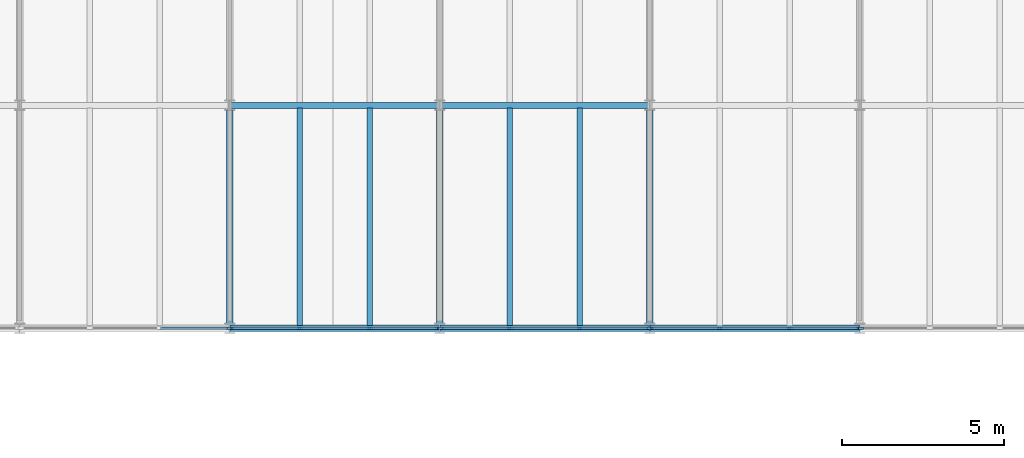
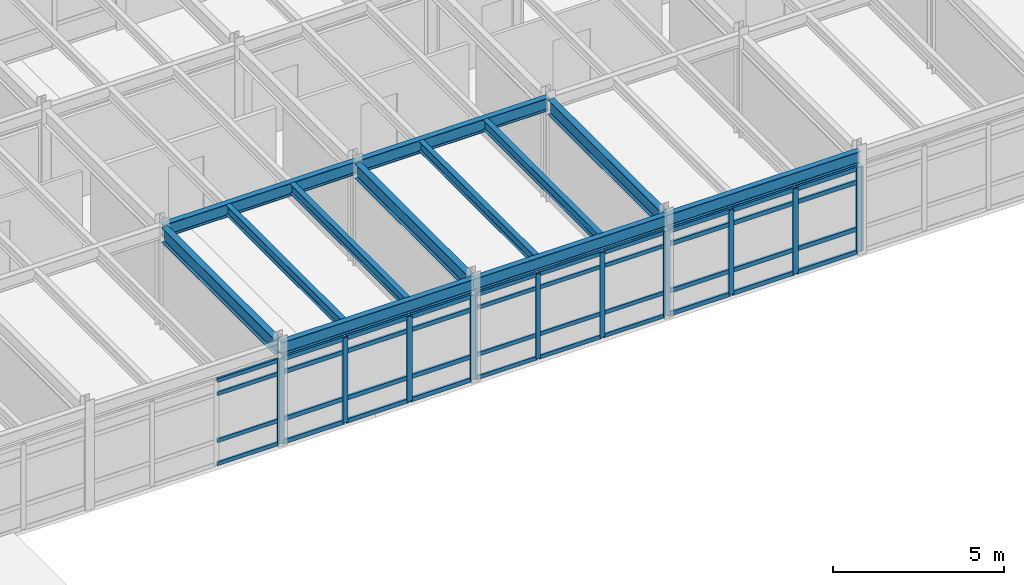
# One storey, part 26 of 49: 54 members, 12 beams, 5 elements without a shape of their own.
"""IFC4 building model written with IfcOpenShell, lengths in metres."""

import ifcopenshell
import ifcopenshell.guid

model = None  # the IFC model being written
_history = None  # IfcOwnerHistory: only IFC2X3 demands one
_inside = {}  # id of a spatial element -> (the spatial element, [elements in it])
_under = {}  # id of a project, library or spatial element -> (it, [spatial elements below it])
_declared = {}  # id of a project -> (the project, [libraries it declares])
_typed = {}  # id of a type object -> (the type object, [elements of that type])
_made_of = {}  # id of a material, layer set ... -> (it, [elements and type objects made of it])


def new_model(schema):
    """Start an empty IFC model of exactly this schema.

    Asked for "IFC4X3", IfcOpenShell would pick the latest addendum, in which some entities
    have other attributes; the version numbers below select the first issue.
    IFC2X3 requires an IfcOwnerHistory on every rooted entity: one is made here for all.
    """
    global model, _history
    if schema == "IFC4X3":
        model = ifcopenshell.file(schema_version=(4, 3, 0, 0))
    else:
        model = ifcopenshell.file(schema=schema)
    _inside.clear()
    _under.clear()
    _declared.clear()
    _typed.clear()
    _made_of.clear()
    _history = None
    if model.schema == "IFC2X3":
        org = make("IfcOrganization", Name="unknown")
        user = make(
            "IfcPersonAndOrganization",
            ThePerson=make("IfcPerson", FamilyName="unknown"),
            TheOrganization=org,
        )
        app = make(
            "IfcApplication",
            ApplicationDeveloper=org,
            Version="unknown",
            ApplicationFullName="unknown",
            ApplicationIdentifier="unknown",
        )
        _history = make(
            "IfcOwnerHistory",
            OwningUser=user,
            OwningApplication=app,
            ChangeAction="ADDED",
            CreationDate=0,
        )
    return model


def make(cls, **values):
    """One entity of the class cls with the attributes given. An attribute that is None is left unset."""
    return model.create_entity(
        cls, **{name: value for name, value in values.items() if value is not None}
    )


def rooted(cls, **values):
    """An entity with a GlobalId (a new one), such as an element, a storey or a relation."""
    return make(cls, GlobalId=ifcopenshell.guid.new(), OwnerHistory=_history, **values)


def si_unit(unit_type, name, prefix=None):
    """IfcSIUnit, for example si_unit("LENGTHUNIT", "METRE", prefix="MILLI")."""
    return make("IfcSIUnit", UnitType=unit_type, Prefix=prefix, Name=name)


def assignment(units):
    """IfcUnitAssignment: the units of a project."""
    return None if units is None else make("IfcUnitAssignment", Units=units)


def point(xyz):
    """IfcCartesianPoint."""
    return None if xyz is None else make("IfcCartesianPoint", Coordinates=xyz)


def direction(xyz):
    """IfcDirection."""
    return None if xyz is None else make("IfcDirection", DirectionRatios=xyz)


def frame(location, z_axis=None, x_axis=None):
    """IfcAxis2Placement3D, a coordinate frame: its origin and axes. An axis left out is left unset."""
    return make(
        "IfcAxis2Placement3D",
        Location=point(location),
        Axis=direction(z_axis),
        RefDirection=direction(x_axis),
    )


def frame_2d(location, x_axis=None):
    """IfcAxis2Placement2D, a coordinate frame in the plane: its origin and x axis."""
    return make(
        "IfcAxis2Placement2D", Location=point(location), RefDirection=direction(x_axis)
    )


def origin():
    """The frame at (0, 0, 0) with its axes left unset."""
    return frame((0.0, 0.0, 0.0))


def origin_2d():
    """The frame at (0, 0) in the plane with its x axis left unset."""
    return frame_2d((0.0, 0.0))


def place(relative_to, where):
    """IfcLocalPlacement: puts the frame where relative to a parent placement (None: the world)."""
    return make(
        "IfcLocalPlacement", PlacementRelTo=relative_to, RelativePlacement=where
    )


def context(
    kind, dimensions, precision=None, world=None, true_north=None, identifier=None
):
    """IfcGeometricRepresentationContext, for example the 3D "Model" context."""
    return make(
        "IfcGeometricRepresentationContext",
        ContextIdentifier=identifier,
        ContextType=kind,
        CoordinateSpaceDimension=dimensions,
        Precision=precision,
        WorldCoordinateSystem=world,
        TrueNorth=true_north,
    )


def subcontext(parent, identifier, kind, view, scale=None):
    """IfcGeometricRepresentationSubContext, for example "Body" below "Model"."""
    return make(
        "IfcGeometricRepresentationSubContext",
        ContextIdentifier=identifier,
        ContextType=kind,
        ParentContext=parent,
        TargetScale=scale,
        TargetView=view,
    )


def project(units=None, contexts=None):
    """IfcProject with its units and contexts."""
    return rooted(
        "IfcProject",
        Name="project",
        RepresentationContexts=contexts,
        UnitsInContext=assignment(units),
    )


def spatial(cls, under=None, at=None, **own):
    """A site, building, storey or space (cls), placed at a placement, below another one or the project."""
    s = rooted(cls, ObjectPlacement=at, **own)
    if under is not None:
        _under.setdefault(under.id(), (under, []))[1].append(s)
    return s


def profile(cls, at=None, kind="AREA", **sizes):
    """A parametric profile (cls). Its sizes go by their IFC names, for example OverallWidth=200.0."""
    return make(cls, ProfileType=kind, Position=at, **sizes)


def rectangle(**sizes):
    """IfcRectangleProfileDef."""
    return profile("IfcRectangleProfileDef", **sizes)


def i_section(**sizes):
    """IfcIShapeProfileDef."""
    return profile("IfcIShapeProfileDef", **sizes)


def extrude(swept, where, along, depth):
    """IfcExtrudedAreaSolid: the profile swept, set in the frame where, extruded along a direction by depth."""
    return make(
        "IfcExtrudedAreaSolid",
        SweptArea=swept,
        Position=where,
        ExtrudedDirection=direction(along),
        Depth=depth,
    )


def shape(context_of_items, identifier, shape_type, items):
    """IfcShapeRepresentation: the items that make up one representation, for example the "Body"."""
    return make(
        "IfcShapeRepresentation",
        ContextOfItems=context_of_items,
        RepresentationIdentifier=identifier,
        RepresentationType=shape_type,
        Items=items,
    )


def material(Name=None, Category=None):
    """IfcMaterial."""
    return make("IfcMaterial", Name=Name, Category=Category)


def layer(
    of_material, thickness, ventilated=None, Name=None, Category=None, Priority=None
):
    """IfcMaterialLayer: one layer of a wall or slab, of a material (None: an air gap)."""
    return make(
        "IfcMaterialLayer",
        Material=of_material,
        LayerThickness=thickness,
        IsVentilated=ventilated,
        Name=Name,
        Category=Category,
        Priority=Priority,
    )


def layer_set(layers, Name=None):
    """IfcMaterialLayerSet."""
    return make("IfcMaterialLayerSet", MaterialLayers=layers, LayerSetName=Name)


def material_profile(
    of_material, cross_section, Name=None, Category=None, Priority=None
):
    """IfcMaterialProfile: a cross section and its material."""
    return make(
        "IfcMaterialProfile",
        Name=Name,
        Material=of_material,
        Profile=cross_section,
        Priority=Priority,
        Category=Category,
    )


def profile_set(profiles, Name=None, composite=None):
    """IfcMaterialProfileSet."""
    return make(
        "IfcMaterialProfileSet",
        Name=Name,
        MaterialProfiles=profiles,
        CompositeProfile=composite,
    )


def made_of(thing, what):
    """Note that an element or type object is made of a material, layer set ...; save() writes the relation."""
    if what is not None:
        _made_of.setdefault(what.id(), (what, []))[1].append(thing)
    return thing


def type_object(cls, material=None, **own):
    """A type object (cls), such as IfcWallType, which elements share."""
    return made_of(rooted(cls, **own), material)


def element(
    cls,
    number,
    at=None,
    inside=None,
    cuts=None,
    type_object=None,
    material=None,
    context=None,
    identifier="Body",
    shape_type=None,
    held_by="IfcProductDefinitionShape",
    body=None,
    shapes=None,
    **own,
):
    """One element of the class cls, such as IfcWall. Its Tag is "e" and its number.

    at: its placement. inside: the storey or other place that contains it. cuts: it is an
    opening in that element (IfcRelVoidsElement). A single representation is given by context,
    identifier, shape_type and body (its items); several are given by shapes. held_by: the class
    of the entity that holds the representations. save() writes the other relations.
    """
    e = rooted(cls, Tag="e%d" % number, ObjectPlacement=at, **own)
    if body is not None:
        shapes = [shape(context, identifier, shape_type, body)]
    if shapes is not None:
        e.Representation = make(held_by, Representations=shapes)
    if inside is not None:
        _inside.setdefault(inside.id(), (inside, []))[1].append(e)
    if cuts is not None:
        rooted(
            "IfcRelVoidsElement", RelatingBuildingElement=cuts, RelatedOpeningElement=e
        )
    if type_object is not None:
        _typed.setdefault(type_object.id(), (type_object, []))[1].append(e)
    return made_of(e, material)


def aggregate(whole, parts):
    """IfcRelAggregates: a whole, such as a stair, and the parts it consists of."""
    return rooted("IfcRelAggregates", RelatingObject=whole, RelatedObjects=parts)


def save(model, path):
    """Write the relations noted so far, then the file.

    IfcRelAggregates (storeys below a building ...), IfcRelContainedInSpatialStructure (elements
    in a storey), IfcRelDefinesByType, IfcRelAssociatesMaterial and IfcRelDeclares: one each for
    every whole, place, type object, material and project.
    """
    for whole, parts in _under.values():
        aggregate(whole, parts)
    for where, things in _inside.values():
        rooted(
            "IfcRelContainedInSpatialStructure",
            RelatedElements=things,
            RelatingStructure=where,
        )
    for kind, things in _typed.values():
        rooted("IfcRelDefinesByType", RelatedObjects=things, RelatingType=kind)
    for what, things in _made_of.values():
        rooted("IfcRelAssociatesMaterial", RelatedObjects=things, RelatingMaterial=what)
    for by, libraries in _declared.values():
        rooted("IfcRelDeclares", RelatingContext=by, RelatedDefinitions=libraries)
    model.write(path)


model = new_model("IFC4")

# Units and contexts
model_context = context("Model", 3, precision=1e-05, world=origin(), true_north=direction((0.0, 1.0)))
body_context = subcontext(model_context, "Body", "Model", "MODEL_VIEW")
ifc_project = project(units=[si_unit("LENGTHUNIT", "METRE"), si_unit("AREAUNIT", "SQUARE_METRE"), si_unit("VOLUMEUNIT", "CUBIC_METRE"), si_unit("PLANEANGLEUNIT", "RADIAN"), si_unit("MASSUNIT", "GRAM", prefix="KILO")], contexts=[model_context])

# Site, building, storey
site_placement = place(None, origin())
site = spatial("IfcSite", under=ifc_project, at=site_placement, CompositionType="ELEMENT")
building_placement = place(site_placement, origin())
building = spatial("IfcBuilding", under=site, at=building_placement, Name="Trelmorton Wharf Fire Station", CompositionType="ELEMENT")
storey_placement = place(building_placement, frame((0.0, 0.0, 9.60009765625)))
storey = spatial("IfcBuildingStorey", under=building, at=storey_placement, Name="L02", CompositionType="ELEMENT", Elevation=9.60009765625)

# Beams
ifc_material_1 = material(Name="Steel Grade 350", Category="steel")
ifc_material_profile_1 = material_profile(ifc_material_1, i_section(OverallWidth=0.19091796875, OverallDepth=0.4599609375, WebThickness=0.010009765625, FlangeThickness=0.01611328125, FilletRadius=0.011474609375, at=origin_2d()), Name="460UB82.1")
ifc_profile_set_1 = profile_set([ifc_material_profile_1], Name="Steel Grade 350")
beam_type_1 = type_object("IfcBeamType", Name="BM_460UB82", PredefinedType="BEAM", material=ifc_profile_set_1)
for number, where, z_axis, x_axis, name in (
    (1, (130.00390625, 67.199951171875, 3.39990234375), (1.0, 0.0, 0.0), (0.0, 1.0, 0.0), "BM-L02-0753"),
    (2, (136.50390625, 67.199951171875, 3.39990234375), (1.0, 0.0, 0.0), (0.0, 1.0, 0.0), "BM-L02-0754"),
):
    element("IfcBeam", number, at=place(storey_placement, frame(where, z_axis=z_axis, x_axis=x_axis)), inside=storey, type_object=beam_type_1, Name=name, PredefinedType="BEAM", context=body_context, shape_type="SweptSolid", body=[
        extrude(i_section(OverallWidth=0.19091796875, OverallDepth=0.4599609375, WebThickness=0.010009765625, FlangeThickness=0.01611328125, FilletRadius=0.011474609375, at=origin_2d()), origin(), (0.0, 0.0, 1.0), 6.4921875),
    ])
ifc_material_profile_2 = material_profile(ifc_material_1, i_section(OverallWidth=0.208984375, OverallDepth=0.532958984375, WebThickness=0.01025390625, FlangeThickness=0.015625, FilletRadius=0.013916015625, at=origin_2d()), Name="530UB92.4")
ifc_profile_set_2 = profile_set([ifc_material_profile_2], Name="Steel Grade 350")
beam_type_2 = type_object("IfcBeamType", Name="BM_530UB92", PredefinedType="BEAM", material=ifc_profile_set_2)
for number, where, z_axis, x_axis, name in (
    (3, (130.0, 60.45361328125, 3.36328125), (0.0, 1.0, 0.0), (-1.0, 0.0, 0.0), "BM-L02-0840"),
    (4, (136.5, 60.45361328125, 3.36328125), (0.0, 1.0, 0.0), (-1.0, 0.0, 0.0), "BM-L02-0846"),
    (5, (143.0, 60.45361328125, 3.36328125), (0.0, 1.0, 0.0), (-1.0, 0.0, 0.0), "BM-L02-0852"),
):
    element("IfcBeam", number, at=place(storey_placement, frame(where, z_axis=z_axis, x_axis=x_axis)), inside=storey, type_object=beam_type_2, Name=name, PredefinedType="BEAM", context=body_context, shape_type="SweptSolid", body=[
        extrude(i_section(OverallWidth=0.208984375, OverallDepth=0.532958984375, WebThickness=0.01025390625, FlangeThickness=0.015625, FilletRadius=0.013916015625, at=origin_2d()), origin(), (0.0, 0.0, 1.0), 6.5927734375),
    ])

# Curtain wall, member
ifc_material_2 = material(Name="Anodised aluminium AW-6063", Category="aluminium")
ifc_layer = layer(ifc_material_2, 0.175048828125)
ifc_layer_set = layer_set([ifc_layer], Name="Anodised aluminium AW-6063")
curtain_wall_type = type_object("IfcCurtainWallType", Name="CW_CHIC_B", PredefinedType="USERDEFINED", material=ifc_layer_set)
curtain_wall_1_placement = place(storey_placement, origin())
curtain_wall_1 = element("IfcCurtainWall", 6, at=curtain_wall_1_placement, inside=storey, type_object=curtain_wall_type, Name="CW-V4-L02-133", ObjectType="CHICAGO BAY CURTAIN WALL", PredefinedType="USERDEFINED")
ifc_material_profile_3 = material_profile(ifc_material_2, rectangle(XDim=0.06494140625, YDim=0.159912109375, at=origin_2d()), Name="ALU-65x160")
ifc_profile_set_3 = profile_set([ifc_material_profile_3], Name="Anodised aluminium AW-6063")
member_type_1 = type_object("IfcMemberType", Name="CWM_65x160", PredefinedType="MULLION", material=ifc_profile_set_3)
member_1_placement = place(storey_placement, frame((129.965087890625, 60.300048828125, 0.0), z_axis=(0.0, 0.0, 1.0), x_axis=(0.0, -1.0, 0.0)))
member_1 = element("IfcMember", 7, at=member_1_placement, type_object=member_type_1, Name="CW2 mullion 1", PredefinedType="MULLION", context=body_context, shape_type="SweptSolid", body=[
    extrude(rectangle(XDim=0.06494140625, YDim=0.159912109375, at=origin_2d()), origin(), (0.0, 0.0, 1.0), 3.02001953125),
])

# Curtain wall, members
curtain_wall_2_placement = place(storey_placement, origin())
curtain_wall_2 = element("IfcCurtainWall", 8, at=curtain_wall_2_placement, inside=storey, type_object=curtain_wall_type, Name="CW-V4-L02-135", ObjectType="CHICAGO BAY CURTAIN WALL", PredefinedType="USERDEFINED")
member_2_placement = place(storey_placement, frame((142.965087890625, 60.300048828125, 0.0), z_axis=(0.0, 0.0, 1.0), x_axis=(0.0, -1.0, 0.0)))
member_2 = element("IfcMember", 9, at=member_2_placement, type_object=member_type_1, Name="CW2 mullion 1", PredefinedType="MULLION", context=body_context, shape_type="SweptSolid", body=[
    extrude(rectangle(XDim=0.06494140625, YDim=0.159912109375, at=origin_2d()), origin(), (0.0, 0.0, 1.0), 3.02001953125),
])
member_3_placement = place(storey_placement, frame((140.831787109375, 60.300048828125, 0.0), z_axis=(0.0, 0.0, 1.0), x_axis=(0.0, -1.0, 0.0)))
member_3 = element("IfcMember", 10, at=member_3_placement, type_object=member_type_1, Name="CW2 mullion 2", PredefinedType="MULLION", context=body_context, shape_type="SweptSolid", body=[
    extrude(rectangle(XDim=0.06494140625, YDim=0.159912109375, at=origin_2d()), origin(), (0.0, 0.0, 1.0), 3.02001953125),
])
member_4_placement = place(storey_placement, frame((138.668212890625, 60.300048828125, 0.0), z_axis=(0.0, 0.0, 1.0), x_axis=(0.0, -1.0, 0.0)))
member_4 = element("IfcMember", 11, at=member_4_placement, type_object=member_type_1, Name="CW2 mullion 3", PredefinedType="MULLION", context=body_context, shape_type="SweptSolid", body=[
    extrude(rectangle(XDim=0.06494140625, YDim=0.159912109375, at=origin_2d()), origin(), (0.0, 0.0, 1.0), 3.02001953125),
])
member_5_placement = place(storey_placement, frame((136.534912109375, 60.300048828125, 0.0), z_axis=(0.0, 0.0, 1.0), x_axis=(0.0, -1.0, 0.0)))
member_5 = element("IfcMember", 12, at=member_5_placement, type_object=member_type_1, Name="CW2 mullion 4", PredefinedType="MULLION", context=body_context, shape_type="SweptSolid", body=[
    extrude(rectangle(XDim=0.06494140625, YDim=0.159912109375, at=origin_2d()), origin(), (0.0, 0.0, 1.0), 3.02001953125),
])

# Curtain wall, member
curtain_wall_3_placement = place(storey_placement, origin())
curtain_wall_3 = element("IfcCurtainWall", 13, at=curtain_wall_3_placement, inside=storey, type_object=curtain_wall_type, Name="CW-V4-L02-137", ObjectType="CHICAGO BAY CURTAIN WALL", PredefinedType="USERDEFINED")
member_6_placement = place(storey_placement, frame((149.534912109375, 60.300048828125, 0.0), z_axis=(0.0, 0.0, 1.0), x_axis=(0.0, -1.0, 0.0)))
member_6 = element("IfcMember", 14, at=member_6_placement, type_object=member_type_1, Name="CW2 mullion 4", PredefinedType="MULLION", context=body_context, shape_type="SweptSolid", body=[
    extrude(rectangle(XDim=0.06494140625, YDim=0.159912109375, at=origin_2d()), origin(), (0.0, 0.0, 1.0), 3.02001953125),
])
aggregate(curtain_wall_3, [member_6])

# Curtain wall, members
curtain_wall_4_placement = place(storey_placement, origin())
curtain_wall_4 = element("IfcCurtainWall", 15, at=curtain_wall_4_placement, inside=storey, type_object=curtain_wall_type, Name="CW-V4-L02-134", ObjectType="CHICAGO BAY CURTAIN WALL", PredefinedType="USERDEFINED")
ifc_material_profile_4 = material_profile(ifc_material_2, rectangle(XDim=0.074951171875, YDim=0.175048828125, at=origin_2d()), Name="ALU-75x175")
ifc_profile_set_4 = profile_set([ifc_material_profile_4], Name="Anodised aluminium AW-6063")
member_type_2 = type_object("IfcMemberType", Name="CWM_75x175", PredefinedType="MULLION", material=ifc_profile_set_4)
member_7_placement = place(storey_placement, frame((136.465087890625, 60.300048828125, 0.0), z_axis=(0.0, 0.0, 1.0), x_axis=(0.0, -1.0, 0.0)))
member_7 = element("IfcMember", 16, at=member_7_placement, type_object=member_type_2, Name="CW2 mullion 1", PredefinedType="MULLION", context=body_context, shape_type="SweptSolid", body=[
    extrude(rectangle(XDim=0.074951171875, YDim=0.175048828125, at=origin_2d()), origin(), (0.0, 0.0, 1.0), 3.02001953125),
])
member_8_placement = place(storey_placement, frame((134.331787109375, 60.300048828125, 0.0), z_axis=(0.0, 0.0, 1.0), x_axis=(0.0, -1.0, 0.0)))
member_8 = element("IfcMember", 17, at=member_8_placement, type_object=member_type_2, Name="CW2 mullion 2", PredefinedType="MULLION", context=body_context, shape_type="SweptSolid", body=[
    extrude(rectangle(XDim=0.074951171875, YDim=0.175048828125, at=origin_2d()), origin(), (0.0, 0.0, 1.0), 3.02001953125),
])
member_9_placement = place(storey_placement, frame((132.168212890625, 60.300048828125, 0.0), z_axis=(0.0, 0.0, 1.0), x_axis=(0.0, -1.0, 0.0)))
member_9 = element("IfcMember", 18, at=member_9_placement, type_object=member_type_2, Name="CW2 mullion 3", PredefinedType="MULLION", context=body_context, shape_type="SweptSolid", body=[
    extrude(rectangle(XDim=0.074951171875, YDim=0.175048828125, at=origin_2d()), origin(), (0.0, 0.0, 1.0), 3.02001953125),
])
member_10_placement = place(storey_placement, frame((130.034912109375, 60.300048828125, 0.0), z_axis=(0.0, 0.0, 1.0), x_axis=(0.0, -1.0, 0.0)))
member_10 = element("IfcMember", 19, at=member_10_placement, type_object=member_type_2, Name="CW2 mullion 4", PredefinedType="MULLION", context=body_context, shape_type="SweptSolid", body=[
    extrude(rectangle(XDim=0.074951171875, YDim=0.175048828125, at=origin_2d()), origin(), (0.0, 0.0, 1.0), 3.02001953125),
])

curtain_wall_5_placement = place(storey_placement, origin())
curtain_wall_5 = element("IfcCurtainWall", 20, at=curtain_wall_5_placement, inside=storey, type_object=curtain_wall_type, Name="CW-V4-L02-136", ObjectType="CHICAGO BAY CURTAIN WALL", PredefinedType="USERDEFINED")
member_11_placement = place(storey_placement, frame((149.465087890625, 60.300048828125, 0.0), z_axis=(0.0, 0.0, 1.0), x_axis=(0.0, -1.0, 0.0)))
member_11 = element("IfcMember", 21, at=member_11_placement, type_object=member_type_2, Name="CW2 mullion 1", PredefinedType="MULLION", context=body_context, shape_type="SweptSolid", body=[
    extrude(rectangle(XDim=0.074951171875, YDim=0.175048828125, at=origin_2d()), origin(), (0.0, 0.0, 1.0), 3.02001953125),
])
member_12_placement = place(storey_placement, frame((147.331787109375, 60.300048828125, 0.0), z_axis=(0.0, 0.0, 1.0), x_axis=(0.0, -1.0, 0.0)))
member_12 = element("IfcMember", 22, at=member_12_placement, type_object=member_type_2, Name="CW2 mullion 2", PredefinedType="MULLION", context=body_context, shape_type="SweptSolid", body=[
    extrude(rectangle(XDim=0.074951171875, YDim=0.175048828125, at=origin_2d()), origin(), (0.0, 0.0, 1.0), 3.02001953125),
])
member_13_placement = place(storey_placement, frame((145.168212890625, 60.300048828125, 0.0), z_axis=(0.0, 0.0, 1.0), x_axis=(0.0, -1.0, 0.0)))
member_13 = element("IfcMember", 23, at=member_13_placement, type_object=member_type_2, Name="CW2 mullion 3", PredefinedType="MULLION", context=body_context, shape_type="SweptSolid", body=[
    extrude(rectangle(XDim=0.074951171875, YDim=0.175048828125, at=origin_2d()), origin(), (0.0, 0.0, 1.0), 3.02001953125),
])
member_14_placement = place(storey_placement, frame((143.034912109375, 60.300048828125, 0.0), z_axis=(0.0, 0.0, 1.0), x_axis=(0.0, -1.0, 0.0)))
member_14 = element("IfcMember", 24, at=member_14_placement, type_object=member_type_2, Name="CW2 mullion 4", PredefinedType="MULLION", context=body_context, shape_type="SweptSolid", body=[
    extrude(rectangle(XDim=0.074951171875, YDim=0.175048828125, at=origin_2d()), origin(), (0.0, 0.0, 1.0), 3.02001953125),
])

# Member
ifc_material_profile_5 = material_profile(ifc_material_2, rectangle(XDim=0.06494140625, YDim=0.139892578125, at=origin_2d()), Name="ALU-65x140")
ifc_profile_set_5 = profile_set([ifc_material_profile_5], Name="Anodised aluminium AW-6063")
member_type_3 = type_object("IfcMemberType", Name="CWT_65x140", PredefinedType="USERDEFINED", material=ifc_profile_set_5)
member_15_placement = place(storey_placement, frame((129.93505859375, 60.300048828125, 0.02978515625), z_axis=(-1.0, 0.0, 0.0), x_axis=(0.0, -1.0, 0.0)))
member_15 = element("IfcMember", 25, at=member_15_placement, type_object=member_type_3, Name="CW2 transom 1.1", ObjectType="TRANSOM", PredefinedType="USERDEFINED", context=body_context, shape_type="SweptSolid", body=[
    extrude(rectangle(XDim=0.06494140625, YDim=0.139892578125, at=origin_2d()), origin(), (0.0, 0.0, 1.0), 2.073486328125),
])

member_16_placement = place(storey_placement, frame((129.93505859375, 60.300048828125, 0.849853515625), z_axis=(-1.0, 0.0, 0.0), x_axis=(0.0, -1.0, 0.0)))
member_16 = element("IfcMember", 26, at=member_16_placement, type_object=member_type_3, Name="CW2 transom 1.2", ObjectType="TRANSOM", PredefinedType="USERDEFINED", context=body_context, shape_type="SweptSolid", body=[
    extrude(rectangle(XDim=0.06494140625, YDim=0.139892578125, at=origin_2d()), origin(), (0.0, 0.0, 1.0), 2.073486328125),
])

member_17_placement = place(storey_placement, frame((129.93505859375, 60.300048828125, 2.52001953125), z_axis=(-1.0, 0.0, 0.0), x_axis=(0.0, -1.0, 0.0)))
member_17 = element("IfcMember", 27, at=member_17_placement, type_object=member_type_3, Name="CW2 transom 1.3", ObjectType="TRANSOM", PredefinedType="USERDEFINED", context=body_context, shape_type="SweptSolid", body=[
    extrude(rectangle(XDim=0.06494140625, YDim=0.139892578125, at=origin_2d()), origin(), (0.0, 0.0, 1.0), 2.073486328125),
])

member_18_placement = place(storey_placement, frame((129.93505859375, 60.300048828125, 2.989990234375), z_axis=(-1.0, 0.0, 0.0), x_axis=(0.0, -1.0, 0.0)))
member_18 = element("IfcMember", 28, at=member_18_placement, type_object=member_type_3, Name="CW2 transom 1.4", ObjectType="TRANSOM", PredefinedType="USERDEFINED", context=body_context, shape_type="SweptSolid", body=[
    extrude(rectangle(XDim=0.06494140625, YDim=0.139892578125, at=origin_2d()), origin(), (0.0, 0.0, 1.0), 2.073486328125),
])

aggregate(curtain_wall_1, [member_1, member_15, member_16, member_17, member_18])

member_19_placement = place(storey_placement, frame((142.93505859375, 60.300048828125, 0.02978515625), z_axis=(-1.0, 0.0, 0.0), x_axis=(0.0, -1.0, 0.0)))
member_19 = element("IfcMember", 29, at=member_19_placement, type_object=member_type_3, Name="CW2 transom 1.1", ObjectType="TRANSOM", PredefinedType="USERDEFINED", context=body_context, shape_type="SweptSolid", body=[
    extrude(rectangle(XDim=0.06494140625, YDim=0.139892578125, at=origin_2d()), origin(), (0.0, 0.0, 1.0), 2.073486328125),
])

member_20_placement = place(storey_placement, frame((142.93505859375, 60.300048828125, 0.849853515625), z_axis=(-1.0, 0.0, 0.0), x_axis=(0.0, -1.0, 0.0)))
member_20 = element("IfcMember", 30, at=member_20_placement, type_object=member_type_3, Name="CW2 transom 1.2", ObjectType="TRANSOM", PredefinedType="USERDEFINED", context=body_context, shape_type="SweptSolid", body=[
    extrude(rectangle(XDim=0.06494140625, YDim=0.139892578125, at=origin_2d()), origin(), (0.0, 0.0, 1.0), 2.073486328125),
])

member_21_placement = place(storey_placement, frame((142.93505859375, 60.300048828125, 2.52001953125), z_axis=(-1.0, 0.0, 0.0), x_axis=(0.0, -1.0, 0.0)))
member_21 = element("IfcMember", 31, at=member_21_placement, type_object=member_type_3, Name="CW2 transom 1.3", ObjectType="TRANSOM", PredefinedType="USERDEFINED", context=body_context, shape_type="SweptSolid", body=[
    extrude(rectangle(XDim=0.06494140625, YDim=0.139892578125, at=origin_2d()), origin(), (0.0, 0.0, 1.0), 2.073486328125),
])

member_22_placement = place(storey_placement, frame((142.93505859375, 60.300048828125, 2.989990234375), z_axis=(-1.0, 0.0, 0.0), x_axis=(0.0, -1.0, 0.0)))
member_22 = element("IfcMember", 32, at=member_22_placement, type_object=member_type_3, Name="CW2 transom 1.4", ObjectType="TRANSOM", PredefinedType="USERDEFINED", context=body_context, shape_type="SweptSolid", body=[
    extrude(rectangle(XDim=0.06494140625, YDim=0.139892578125, at=origin_2d()), origin(), (0.0, 0.0, 1.0), 2.073486328125),
])

member_23_placement = place(storey_placement, frame((140.8017578125, 60.300048828125, 0.02978515625), z_axis=(-1.0, 0.0, 0.0), x_axis=(0.0, -1.0, 0.0)))
member_23 = element("IfcMember", 33, at=member_23_placement, type_object=member_type_3, Name="CW2 transom 2.1", ObjectType="TRANSOM", PredefinedType="USERDEFINED", context=body_context, shape_type="SweptSolid", body=[
    extrude(rectangle(XDim=0.06494140625, YDim=0.139892578125, at=origin_2d()), origin(), (0.0, 0.0, 1.0), 2.103515625),
])

member_24_placement = place(storey_placement, frame((140.8017578125, 60.300048828125, 0.849853515625), z_axis=(-1.0, 0.0, 0.0), x_axis=(0.0, -1.0, 0.0)))
member_24 = element("IfcMember", 34, at=member_24_placement, type_object=member_type_3, Name="CW2 transom 2.2", ObjectType="TRANSOM", PredefinedType="USERDEFINED", context=body_context, shape_type="SweptSolid", body=[
    extrude(rectangle(XDim=0.06494140625, YDim=0.139892578125, at=origin_2d()), origin(), (0.0, 0.0, 1.0), 2.103515625),
])

member_25_placement = place(storey_placement, frame((140.8017578125, 60.300048828125, 2.52001953125), z_axis=(-1.0, 0.0, 0.0), x_axis=(0.0, -1.0, 0.0)))
member_25 = element("IfcMember", 35, at=member_25_placement, type_object=member_type_3, Name="CW2 transom 2.3", ObjectType="TRANSOM", PredefinedType="USERDEFINED", context=body_context, shape_type="SweptSolid", body=[
    extrude(rectangle(XDim=0.06494140625, YDim=0.139892578125, at=origin_2d()), origin(), (0.0, 0.0, 1.0), 2.103515625),
])

member_26_placement = place(storey_placement, frame((140.8017578125, 60.300048828125, 2.989990234375), z_axis=(-1.0, 0.0, 0.0), x_axis=(0.0, -1.0, 0.0)))
member_26 = element("IfcMember", 36, at=member_26_placement, type_object=member_type_3, Name="CW2 transom 2.4", ObjectType="TRANSOM", PredefinedType="USERDEFINED", context=body_context, shape_type="SweptSolid", body=[
    extrude(rectangle(XDim=0.06494140625, YDim=0.139892578125, at=origin_2d()), origin(), (0.0, 0.0, 1.0), 2.103515625),
])

member_27_placement = place(storey_placement, frame((138.638427734375, 60.300048828125, 0.02978515625), z_axis=(-1.0, 0.0, 0.0), x_axis=(0.0, -1.0, 0.0)))
member_27 = element("IfcMember", 37, at=member_27_placement, type_object=member_type_3, Name="CW2 transom 3.1", ObjectType="TRANSOM", PredefinedType="USERDEFINED", context=body_context, shape_type="SweptSolid", body=[
    extrude(rectangle(XDim=0.06494140625, YDim=0.139892578125, at=origin_2d()), origin(), (0.0, 0.0, 1.0), 2.073486328125),
])

member_28_placement = place(storey_placement, frame((138.638427734375, 60.300048828125, 0.849853515625), z_axis=(-1.0, 0.0, 0.0), x_axis=(0.0, -1.0, 0.0)))
member_28 = element("IfcMember", 38, at=member_28_placement, type_object=member_type_3, Name="CW2 transom 3.2", ObjectType="TRANSOM", PredefinedType="USERDEFINED", context=body_context, shape_type="SweptSolid", body=[
    extrude(rectangle(XDim=0.06494140625, YDim=0.139892578125, at=origin_2d()), origin(), (0.0, 0.0, 1.0), 2.073486328125),
])

member_29_placement = place(storey_placement, frame((138.638427734375, 60.300048828125, 2.52001953125), z_axis=(-1.0, 0.0, 0.0), x_axis=(0.0, -1.0, 0.0)))
member_29 = element("IfcMember", 39, at=member_29_placement, type_object=member_type_3, Name="CW2 transom 3.3", ObjectType="TRANSOM", PredefinedType="USERDEFINED", context=body_context, shape_type="SweptSolid", body=[
    extrude(rectangle(XDim=0.06494140625, YDim=0.139892578125, at=origin_2d()), origin(), (0.0, 0.0, 1.0), 2.073486328125),
])

member_30_placement = place(storey_placement, frame((138.638427734375, 60.300048828125, 2.989990234375), z_axis=(-1.0, 0.0, 0.0), x_axis=(0.0, -1.0, 0.0)))
member_30 = element("IfcMember", 40, at=member_30_placement, type_object=member_type_3, Name="CW2 transom 3.4", ObjectType="TRANSOM", PredefinedType="USERDEFINED", context=body_context, shape_type="SweptSolid", body=[
    extrude(rectangle(XDim=0.06494140625, YDim=0.139892578125, at=origin_2d()), origin(), (0.0, 0.0, 1.0), 2.073486328125),
])

aggregate(curtain_wall_2, [member_2, member_3, member_4, member_5, member_19, member_20, member_21, member_22, member_23, member_24, member_25, member_26, member_27, member_28, member_29, member_30])

ifc_material_profile_6 = material_profile(ifc_material_2, rectangle(XDim=0.074951171875, YDim=0.155029296875, at=origin_2d()), Name="ALU-75x155")
ifc_profile_set_6 = profile_set([ifc_material_profile_6], Name="Anodised aluminium AW-6063")
member_type_4 = type_object("IfcMemberType", Name="CWT_75x155", PredefinedType="USERDEFINED", material=ifc_profile_set_6)
member_31_placement = place(storey_placement, frame((136.43505859375, 60.300048828125, 0.02978515625), z_axis=(-1.0, 0.0, 0.0), x_axis=(0.0, -1.0, 0.0)))
member_31 = element("IfcMember", 41, at=member_31_placement, type_object=member_type_4, Name="CW2 transom 1.1", ObjectType="TRANSOM", PredefinedType="USERDEFINED", context=body_context, shape_type="SweptSolid", body=[
    extrude(rectangle(XDim=0.074951171875, YDim=0.155029296875, at=origin_2d()), origin(), (0.0, 0.0, 1.0), 2.073486328125),
])

member_32_placement = place(storey_placement, frame((136.43505859375, 60.300048828125, 0.849853515625), z_axis=(-1.0, 0.0, 0.0), x_axis=(0.0, -1.0, 0.0)))
member_32 = element("IfcMember", 42, at=member_32_placement, type_object=member_type_4, Name="CW2 transom 1.2", ObjectType="TRANSOM", PredefinedType="USERDEFINED", context=body_context, shape_type="SweptSolid", body=[
    extrude(rectangle(XDim=0.074951171875, YDim=0.155029296875, at=origin_2d()), origin(), (0.0, 0.0, 1.0), 2.073486328125),
])

member_33_placement = place(storey_placement, frame((136.43505859375, 60.300048828125, 2.52001953125), z_axis=(-1.0, 0.0, 0.0), x_axis=(0.0, -1.0, 0.0)))
member_33 = element("IfcMember", 43, at=member_33_placement, type_object=member_type_4, Name="CW2 transom 1.3", ObjectType="TRANSOM", PredefinedType="USERDEFINED", context=body_context, shape_type="SweptSolid", body=[
    extrude(rectangle(XDim=0.074951171875, YDim=0.155029296875, at=origin_2d()), origin(), (0.0, 0.0, 1.0), 2.073486328125),
])

member_34_placement = place(storey_placement, frame((136.43505859375, 60.300048828125, 2.989990234375), z_axis=(-1.0, 0.0, 0.0), x_axis=(0.0, -1.0, 0.0)))
member_34 = element("IfcMember", 44, at=member_34_placement, type_object=member_type_4, Name="CW2 transom 1.4", ObjectType="TRANSOM", PredefinedType="USERDEFINED", context=body_context, shape_type="SweptSolid", body=[
    extrude(rectangle(XDim=0.074951171875, YDim=0.155029296875, at=origin_2d()), origin(), (0.0, 0.0, 1.0), 2.073486328125),
])

member_35_placement = place(storey_placement, frame((134.3017578125, 60.300048828125, 0.02978515625), z_axis=(-1.0, 0.0, 0.0), x_axis=(0.0, -1.0, 0.0)))
member_35 = element("IfcMember", 45, at=member_35_placement, type_object=member_type_4, Name="CW2 transom 2.1", ObjectType="TRANSOM", PredefinedType="USERDEFINED", context=body_context, shape_type="SweptSolid", body=[
    extrude(rectangle(XDim=0.074951171875, YDim=0.155029296875, at=origin_2d()), origin(), (0.0, 0.0, 1.0), 2.103515625),
])

member_36_placement = place(storey_placement, frame((134.3017578125, 60.300048828125, 0.849853515625), z_axis=(-1.0, 0.0, 0.0), x_axis=(0.0, -1.0, 0.0)))
member_36 = element("IfcMember", 46, at=member_36_placement, type_object=member_type_4, Name="CW2 transom 2.2", ObjectType="TRANSOM", PredefinedType="USERDEFINED", context=body_context, shape_type="SweptSolid", body=[
    extrude(rectangle(XDim=0.074951171875, YDim=0.155029296875, at=origin_2d()), origin(), (0.0, 0.0, 1.0), 2.103515625),
])

member_37_placement = place(storey_placement, frame((134.3017578125, 60.300048828125, 2.52001953125), z_axis=(-1.0, 0.0, 0.0), x_axis=(0.0, -1.0, 0.0)))
member_37 = element("IfcMember", 47, at=member_37_placement, type_object=member_type_4, Name="CW2 transom 2.3", ObjectType="TRANSOM", PredefinedType="USERDEFINED", context=body_context, shape_type="SweptSolid", body=[
    extrude(rectangle(XDim=0.074951171875, YDim=0.155029296875, at=origin_2d()), origin(), (0.0, 0.0, 1.0), 2.103515625),
])

member_38_placement = place(storey_placement, frame((134.3017578125, 60.300048828125, 2.989990234375), z_axis=(-1.0, 0.0, 0.0), x_axis=(0.0, -1.0, 0.0)))
member_38 = element("IfcMember", 48, at=member_38_placement, type_object=member_type_4, Name="CW2 transom 2.4", ObjectType="TRANSOM", PredefinedType="USERDEFINED", context=body_context, shape_type="SweptSolid", body=[
    extrude(rectangle(XDim=0.074951171875, YDim=0.155029296875, at=origin_2d()), origin(), (0.0, 0.0, 1.0), 2.103515625),
])

member_39_placement = place(storey_placement, frame((132.138427734375, 60.300048828125, 0.02978515625), z_axis=(-1.0, 0.0, 0.0), x_axis=(0.0, -1.0, 0.0)))
member_39 = element("IfcMember", 49, at=member_39_placement, type_object=member_type_4, Name="CW2 transom 3.1", ObjectType="TRANSOM", PredefinedType="USERDEFINED", context=body_context, shape_type="SweptSolid", body=[
    extrude(rectangle(XDim=0.074951171875, YDim=0.155029296875, at=origin_2d()), origin(), (0.0, 0.0, 1.0), 2.073486328125),
])

member_40_placement = place(storey_placement, frame((132.138427734375, 60.300048828125, 0.849853515625), z_axis=(-1.0, 0.0, 0.0), x_axis=(0.0, -1.0, 0.0)))
member_40 = element("IfcMember", 50, at=member_40_placement, type_object=member_type_4, Name="CW2 transom 3.2", ObjectType="TRANSOM", PredefinedType="USERDEFINED", context=body_context, shape_type="SweptSolid", body=[
    extrude(rectangle(XDim=0.074951171875, YDim=0.155029296875, at=origin_2d()), origin(), (0.0, 0.0, 1.0), 2.073486328125),
])

member_41_placement = place(storey_placement, frame((132.138427734375, 60.300048828125, 2.52001953125), z_axis=(-1.0, 0.0, 0.0), x_axis=(0.0, -1.0, 0.0)))
member_41 = element("IfcMember", 51, at=member_41_placement, type_object=member_type_4, Name="CW2 transom 3.3", ObjectType="TRANSOM", PredefinedType="USERDEFINED", context=body_context, shape_type="SweptSolid", body=[
    extrude(rectangle(XDim=0.074951171875, YDim=0.155029296875, at=origin_2d()), origin(), (0.0, 0.0, 1.0), 2.073486328125),
])

member_42_placement = place(storey_placement, frame((132.138427734375, 60.300048828125, 2.989990234375), z_axis=(-1.0, 0.0, 0.0), x_axis=(0.0, -1.0, 0.0)))
member_42 = element("IfcMember", 52, at=member_42_placement, type_object=member_type_4, Name="CW2 transom 3.4", ObjectType="TRANSOM", PredefinedType="USERDEFINED", context=body_context, shape_type="SweptSolid", body=[
    extrude(rectangle(XDim=0.074951171875, YDim=0.155029296875, at=origin_2d()), origin(), (0.0, 0.0, 1.0), 2.073486328125),
])

aggregate(curtain_wall_4, [member_7, member_8, member_9, member_10, member_31, member_32, member_33, member_34, member_35, member_36, member_37, member_38, member_39, member_40, member_41, member_42])

member_43_placement = place(storey_placement, frame((149.43505859375, 60.300048828125, 0.02978515625), z_axis=(-1.0, 0.0, 0.0), x_axis=(0.0, -1.0, 0.0)))
member_43 = element("IfcMember", 53, at=member_43_placement, type_object=member_type_4, Name="CW2 transom 1.1", ObjectType="TRANSOM", PredefinedType="USERDEFINED", context=body_context, shape_type="SweptSolid", body=[
    extrude(rectangle(XDim=0.074951171875, YDim=0.155029296875, at=origin_2d()), origin(), (0.0, 0.0, 1.0), 2.073486328125),
])

member_44_placement = place(storey_placement, frame((149.43505859375, 60.300048828125, 0.849853515625), z_axis=(-1.0, 0.0, 0.0), x_axis=(0.0, -1.0, 0.0)))
member_44 = element("IfcMember", 54, at=member_44_placement, type_object=member_type_4, Name="CW2 transom 1.2", ObjectType="TRANSOM", PredefinedType="USERDEFINED", context=body_context, shape_type="SweptSolid", body=[
    extrude(rectangle(XDim=0.074951171875, YDim=0.155029296875, at=origin_2d()), origin(), (0.0, 0.0, 1.0), 2.073486328125),
])

member_45_placement = place(storey_placement, frame((149.43505859375, 60.300048828125, 2.52001953125), z_axis=(-1.0, 0.0, 0.0), x_axis=(0.0, -1.0, 0.0)))
member_45 = element("IfcMember", 55, at=member_45_placement, type_object=member_type_4, Name="CW2 transom 1.3", ObjectType="TRANSOM", PredefinedType="USERDEFINED", context=body_context, shape_type="SweptSolid", body=[
    extrude(rectangle(XDim=0.074951171875, YDim=0.155029296875, at=origin_2d()), origin(), (0.0, 0.0, 1.0), 2.073486328125),
])

member_46_placement = place(storey_placement, frame((149.43505859375, 60.300048828125, 2.989990234375), z_axis=(-1.0, 0.0, 0.0), x_axis=(0.0, -1.0, 0.0)))
member_46 = element("IfcMember", 56, at=member_46_placement, type_object=member_type_4, Name="CW2 transom 1.4", ObjectType="TRANSOM", PredefinedType="USERDEFINED", context=body_context, shape_type="SweptSolid", body=[
    extrude(rectangle(XDim=0.074951171875, YDim=0.155029296875, at=origin_2d()), origin(), (0.0, 0.0, 1.0), 2.073486328125),
])

member_47_placement = place(storey_placement, frame((147.3017578125, 60.300048828125, 0.02978515625), z_axis=(-1.0, 0.0, 0.0), x_axis=(0.0, -1.0, 0.0)))
member_47 = element("IfcMember", 57, at=member_47_placement, type_object=member_type_4, Name="CW2 transom 2.1", ObjectType="TRANSOM", PredefinedType="USERDEFINED", context=body_context, shape_type="SweptSolid", body=[
    extrude(rectangle(XDim=0.074951171875, YDim=0.155029296875, at=origin_2d()), origin(), (0.0, 0.0, 1.0), 2.103515625),
])

member_48_placement = place(storey_placement, frame((147.3017578125, 60.300048828125, 0.849853515625), z_axis=(-1.0, 0.0, 0.0), x_axis=(0.0, -1.0, 0.0)))
member_48 = element("IfcMember", 58, at=member_48_placement, type_object=member_type_4, Name="CW2 transom 2.2", ObjectType="TRANSOM", PredefinedType="USERDEFINED", context=body_context, shape_type="SweptSolid", body=[
    extrude(rectangle(XDim=0.074951171875, YDim=0.155029296875, at=origin_2d()), origin(), (0.0, 0.0, 1.0), 2.103515625),
])

member_49_placement = place(storey_placement, frame((147.3017578125, 60.300048828125, 2.52001953125), z_axis=(-1.0, 0.0, 0.0), x_axis=(0.0, -1.0, 0.0)))
member_49 = element("IfcMember", 59, at=member_49_placement, type_object=member_type_4, Name="CW2 transom 2.3", ObjectType="TRANSOM", PredefinedType="USERDEFINED", context=body_context, shape_type="SweptSolid", body=[
    extrude(rectangle(XDim=0.074951171875, YDim=0.155029296875, at=origin_2d()), origin(), (0.0, 0.0, 1.0), 2.103515625),
])

member_50_placement = place(storey_placement, frame((147.3017578125, 60.300048828125, 2.989990234375), z_axis=(-1.0, 0.0, 0.0), x_axis=(0.0, -1.0, 0.0)))
member_50 = element("IfcMember", 60, at=member_50_placement, type_object=member_type_4, Name="CW2 transom 2.4", ObjectType="TRANSOM", PredefinedType="USERDEFINED", context=body_context, shape_type="SweptSolid", body=[
    extrude(rectangle(XDim=0.074951171875, YDim=0.155029296875, at=origin_2d()), origin(), (0.0, 0.0, 1.0), 2.103515625),
])

member_51_placement = place(storey_placement, frame((145.138427734375, 60.300048828125, 0.02978515625), z_axis=(-1.0, 0.0, 0.0), x_axis=(0.0, -1.0, 0.0)))
member_51 = element("IfcMember", 61, at=member_51_placement, type_object=member_type_4, Name="CW2 transom 3.1", ObjectType="TRANSOM", PredefinedType="USERDEFINED", context=body_context, shape_type="SweptSolid", body=[
    extrude(rectangle(XDim=0.074951171875, YDim=0.155029296875, at=origin_2d()), origin(), (0.0, 0.0, 1.0), 2.073486328125),
])

member_52_placement = place(storey_placement, frame((145.138427734375, 60.300048828125, 0.849853515625), z_axis=(-1.0, 0.0, 0.0), x_axis=(0.0, -1.0, 0.0)))
member_52 = element("IfcMember", 62, at=member_52_placement, type_object=member_type_4, Name="CW2 transom 3.2", ObjectType="TRANSOM", PredefinedType="USERDEFINED", context=body_context, shape_type="SweptSolid", body=[
    extrude(rectangle(XDim=0.074951171875, YDim=0.155029296875, at=origin_2d()), origin(), (0.0, 0.0, 1.0), 2.073486328125),
])

member_53_placement = place(storey_placement, frame((145.138427734375, 60.300048828125, 2.52001953125), z_axis=(-1.0, 0.0, 0.0), x_axis=(0.0, -1.0, 0.0)))
member_53 = element("IfcMember", 63, at=member_53_placement, type_object=member_type_4, Name="CW2 transom 3.3", ObjectType="TRANSOM", PredefinedType="USERDEFINED", context=body_context, shape_type="SweptSolid", body=[
    extrude(rectangle(XDim=0.074951171875, YDim=0.155029296875, at=origin_2d()), origin(), (0.0, 0.0, 1.0), 2.073486328125),
])

member_54_placement = place(storey_placement, frame((145.138427734375, 60.300048828125, 2.989990234375), z_axis=(-1.0, 0.0, 0.0), x_axis=(0.0, -1.0, 0.0)))
member_54 = element("IfcMember", 64, at=member_54_placement, type_object=member_type_4, Name="CW2 transom 3.4", ObjectType="TRANSOM", PredefinedType="USERDEFINED", context=body_context, shape_type="SweptSolid", body=[
    extrude(rectangle(XDim=0.074951171875, YDim=0.155029296875, at=origin_2d()), origin(), (0.0, 0.0, 1.0), 2.073486328125),
])

aggregate(curtain_wall_5, [member_11, member_12, member_13, member_14, member_43, member_44, member_45, member_46, member_47, member_48, member_49, member_50, member_51, member_52, member_53, member_54])

# Beams
ifc_material_profile_7 = material_profile(ifc_material_1, i_section(OverallWidth=0.172119140625, OverallDepth=0.35888671875, WebThickness=0.008056640625, FlangeThickness=0.012939453125, FilletRadius=0.011474609375, at=origin_2d()), Name="360UB56.7")
ifc_profile_set_7 = profile_set([ifc_material_profile_7], Name="Steel Grade 350")
beam_type_3 = type_object("IfcBeamType", Name="JS_360UB57", PredefinedType="JOIST", material=ifc_profile_set_7)
for number, where, z_axis, x_axis, name in (
    (65, (132.166748046875, 60.389892578125, 3.450439453125), (0.0, 1.0, 0.0), (-1.0, 0.0, 0.0), "JS-L02-0285"),
    (66, (134.333251953125, 60.389892578125, 3.450439453125), (0.0, 1.0, 0.0), (-1.0, 0.0, 0.0), "JS-L02-0286"),
    (67, (138.666748046875, 60.389892578125, 3.450439453125), (0.0, 1.0, 0.0), (-1.0, 0.0, 0.0), "JS-L02-0297"),
    (68, (140.833251953125, 60.389892578125, 3.450439453125), (0.0, 1.0, 0.0), (-1.0, 0.0, 0.0), "JS-L02-0298"),
):
    element("IfcBeam", number, at=place(storey_placement, frame(where, z_axis=z_axis, x_axis=x_axis)), inside=storey, type_object=beam_type_3, Name=name, PredefinedType="JOIST", context=body_context, shape_type="SweptSolid", body=[
        extrude(i_section(OverallWidth=0.172119140625, OverallDepth=0.35888671875, WebThickness=0.008056640625, FlangeThickness=0.012939453125, FilletRadius=0.011474609375, at=origin_2d()), origin(), (0.0, 0.0, 1.0), 6.72021484375),
    ])
ifc_material_profile_8 = material_profile(ifc_material_1, i_section(OverallWidth=0.18994140625, OverallDepth=0.45703125, WebThickness=0.009033203125, FlangeThickness=0.014404296875, FilletRadius=0.011474609375, at=origin_2d()), Name="460UB74.6")
ifc_profile_set_8 = profile_set([ifc_material_profile_8], Name="Steel Grade 350")
beam_type_4 = type_object("IfcBeamType", Name="SP_460UB75", PredefinedType="SPANDREL", material=ifc_profile_set_8)
for number, where, z_axis, x_axis, name in (
    (69, (130.00390625, 60.300048828125, 3.4013671875), (1.0, 0.0, 0.0), (0.0, 1.0, 0.0), "BM-L02-0740"),
    (70, (136.50390625, 60.300048828125, 3.4013671875), (1.0, 0.0, 0.0), (0.0, 1.0, 0.0), "BM-L02-0741"),
    (71, (143.00390625, 60.300048828125, 3.4013671875), (1.0, 0.0, 0.0), (0.0, 1.0, 0.0), "BM-L02-0742"),
):
    element("IfcBeam", number, at=place(storey_placement, frame(where, z_axis=z_axis, x_axis=x_axis)), inside=storey, type_object=beam_type_4, Name=name, PredefinedType="SPANDREL", context=body_context, shape_type="SweptSolid", body=[
        extrude(i_section(OverallWidth=0.18994140625, OverallDepth=0.45703125, WebThickness=0.009033203125, FlangeThickness=0.014404296875, FilletRadius=0.011474609375, at=origin_2d()), origin(), (0.0, 0.0, 1.0), 6.4921875),
    ])

save(model, "model.ifc")
